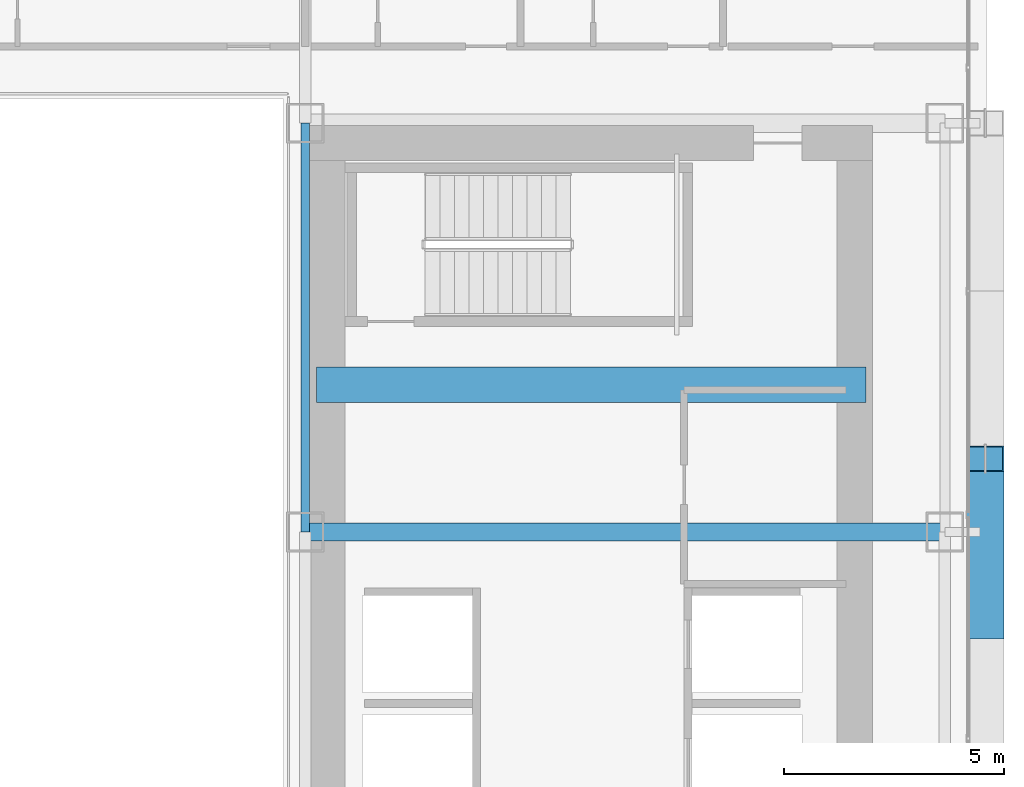
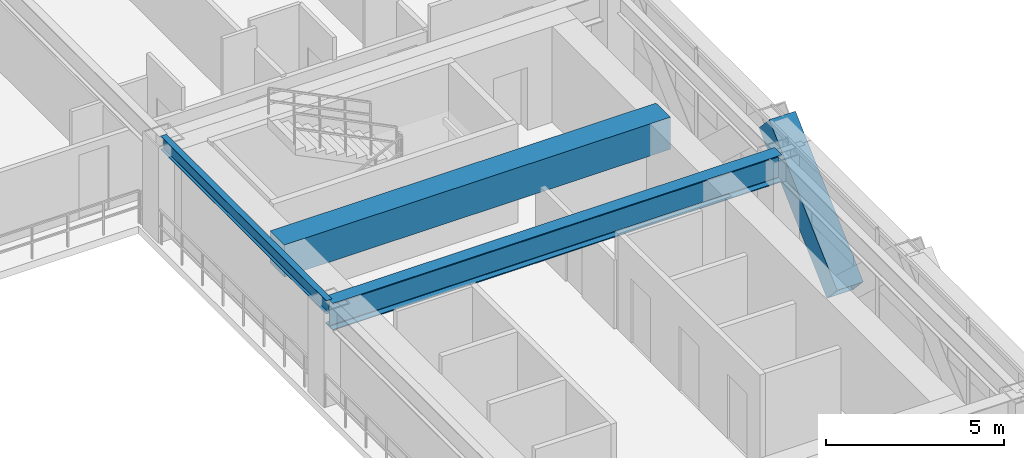
# One storey, part 14 of 35: 3 beams, 1 member.
"""IFC4 building model written with IfcOpenShell, lengths in metres."""

from ifc_helpers import new_model, si_unit, direction, frame, origin, origin_2d, place, context, subcontext, project, spatial, rectangle, hollow_rectangle, i_section, extrude, source, transform, mapped, material, material_profile, profile_set, type_object, element, save


model = new_model("IFC4")

# Units and contexts
model_context = context("Model", 3, precision=1e-05, world=origin(), true_north=direction((0.0, 1.0)))
body_context = subcontext(model_context, "Body", "Model", "MODEL_VIEW")
ifc_project = project(units=[si_unit("LENGTHUNIT", "METRE"), si_unit("AREAUNIT", "SQUARE_METRE"), si_unit("VOLUMEUNIT", "CUBIC_METRE"), si_unit("PLANEANGLEUNIT", "RADIAN"), si_unit("MASSUNIT", "GRAM", prefix="KILO")], contexts=[model_context])

# Site, building, storey
site_placement = place(None, origin())
site = spatial("IfcSite", under=ifc_project, at=site_placement, CompositionType="ELEMENT")
building_placement = place(site_placement, origin())
building = spatial("IfcBuilding", under=site, at=building_placement, Name="Ocotamira Hotel", CompositionType="ELEMENT")
storey_placement = place(building_placement, frame((0.0, 0.0, 81.60009765625)))
storey = spatial("IfcBuildingStorey", under=building, at=storey_placement, Name="L20", CompositionType="ELEMENT", Elevation=81.60009765625)

# Beams
ifc_material_1 = material(Name="Concrete C60/75", Category="concrete")
ifc_material_profile_1 = material_profile(ifc_material_1, rectangle(XDim=0.800048828125, YDim=1.10009765625, at=origin_2d()), Name="RC800X1100")
ifc_profile_set_1 = profile_set([ifc_material_profile_1], Name="Concrete C60/75")
beam_type_1 = type_object("IfcBeamType", Name="BM-LINK-RC800", PredefinedType="LINTEL", material=ifc_profile_set_1)
shared_shape_1 = source(origin(), body_context, "Body", "SweptSolid", [
    extrude(rectangle(XDim=0.800048828125, YDim=1.10009765625, at=origin_2d()), origin(), (0.0, 0.0, 1.0), 12.5),
])
beam_1_placement = place(storey_placement, frame((40.75, 31.5, 2.72998046875), z_axis=(1.0, 0.0, 0.0), x_axis=(0.0, 1.0, 0.0)))
element("IfcBeam", 1, at=beam_1_placement, inside=storey, type_object=beam_type_1, Name="L20 East Core Coupling Beam", PredefinedType="LINTEL", context=body_context, shape_type="MappedRepresentation", body=[
    mapped(shared_shape_1, transform((0.0, 0.0, 0.0), scale=1.0)),
])
ifc_material_2 = material(Name="Steel ASTM A992 Grade 50", Category="steel")
ifc_material_profile_2 = material_profile(ifc_material_2, i_section(OverallWidth=0.41796875, OverallDepth=0.927001953125, WebThickness=0.019287109375, FlangeThickness=0.031982421875, FilletRadius=0.02392578125, at=origin_2d()), Name="W36X231")
ifc_profile_set_2 = profile_set([ifc_material_profile_2], Name="Steel ASTM A992 Grade 50")
beam_type_2 = type_object("IfcBeamType", Name="BM-GIRD-W36X231", PredefinedType="BEAM", material=ifc_profile_set_2)
shared_shape_2 = source(origin(), body_context, "Body", "SweptSolid", [
    extrude(i_section(OverallWidth=0.41796875, OverallDepth=0.927001953125, WebThickness=0.019287109375, FlangeThickness=0.031982421875, FilletRadius=0.02392578125, at=origin_2d()), origin(), (0.0, 0.0, 1.0), 14.550048828125),
])
beam_2_placement = place(storey_placement, frame((40.5, 28.14990234375, 2.81640625), z_axis=(1.0, 0.0, 0.0), x_axis=(0.0, 1.0, 0.0)))
element("IfcBeam", 2, at=beam_2_placement, inside=storey, type_object=beam_type_2, Name="L20 Girder Y28.15 X40.5-55.05", PredefinedType="BEAM", context=body_context, shape_type="MappedRepresentation", body=[
    mapped(shared_shape_2, transform((0.0, 0.0, 0.0), scale=1.0)),
])
ifc_material_profile_3 = material_profile(ifc_material_2, i_section(OverallWidth=0.18994140625, OverallDepth=0.45703125, WebThickness=0.009033203125, FlangeThickness=0.014404296875, FilletRadius=0.010009765625, at=origin_2d()), Name="W18X50")
ifc_profile_set_3 = profile_set([ifc_material_profile_3], Name="Steel ASTM A992 Grade 50")
beam_type_3 = type_object("IfcBeamType", Name="BM-SEC-W18X50", PredefinedType="JOIST", material=ifc_profile_set_3)
shared_shape_3 = source(origin(), body_context, "Body", "SweptSolid", [
    extrude(i_section(OverallWidth=0.18994140625, OverallDepth=0.45703125, WebThickness=0.009033203125, FlangeThickness=0.014404296875, FilletRadius=0.010009765625, at=origin_2d()), origin(), (0.0, 0.0, 1.0), 9.300048828125),
])
beam_3_placement = place(storey_placement, frame((40.5, 28.14990234375, 3.051513671875), z_axis=(0.0, 1.0, 0.0), x_axis=(-1.0, 0.0, 0.0)))
element("IfcBeam", 3, at=beam_3_placement, inside=storey, type_object=beam_type_3, Name="L20 Beam X40.5 Y28.15-37.45", PredefinedType="JOIST", context=body_context, shape_type="MappedRepresentation", body=[
    mapped(shared_shape_3, transform((0.0, 0.0, 0.0), scale=1.0)),
])

# Member
ifc_material_3 = material(Name="Pale-metal coated steel ASTM A913 Grade 65", Category="steel")
ifc_material_profile_4 = material_profile(ifc_material_3, hollow_rectangle(XDim=0.85009765625, YDim=0.85009765625, WallThickness=0.035888671875, at=origin_2d()), Name="BOX850X850X36")
ifc_profile_set_4 = profile_set([ifc_material_profile_4], Name="Pale-metal coated steel ASTM A913 Grade 65")
member_type = type_object("IfcMemberType", Name="MEM-EXO-BOX850", PredefinedType="BRACE", material=ifc_profile_set_4)
shared_shape_4 = source(origin(), body_context, "Body", "SweptSolid", [
    extrude(hollow_rectangle(XDim=0.85009765625, YDim=0.85009765625, WallThickness=0.035888671875, at=origin_2d()), origin(), (0.0, 0.0, 1.0), 5.19873046875),
])
member_placement = place(storey_placement, frame((55.969970703125, 26.0, -0.5), z_axis=(0.0, 0.734158546733, 0.67897807642), x_axis=(-1.0, 0.0, 0.0)))
element("IfcMember", 4, at=member_placement, inside=storey, type_object=member_type, Name="L20 Exoskeleton Diagrid E1.2", PredefinedType="BRACE", context=body_context, shape_type="MappedRepresentation", body=[
    mapped(shared_shape_4, transform((0.0, 0.0, 0.0), scale=1.0)),
])

save(model, "model.ifc")
